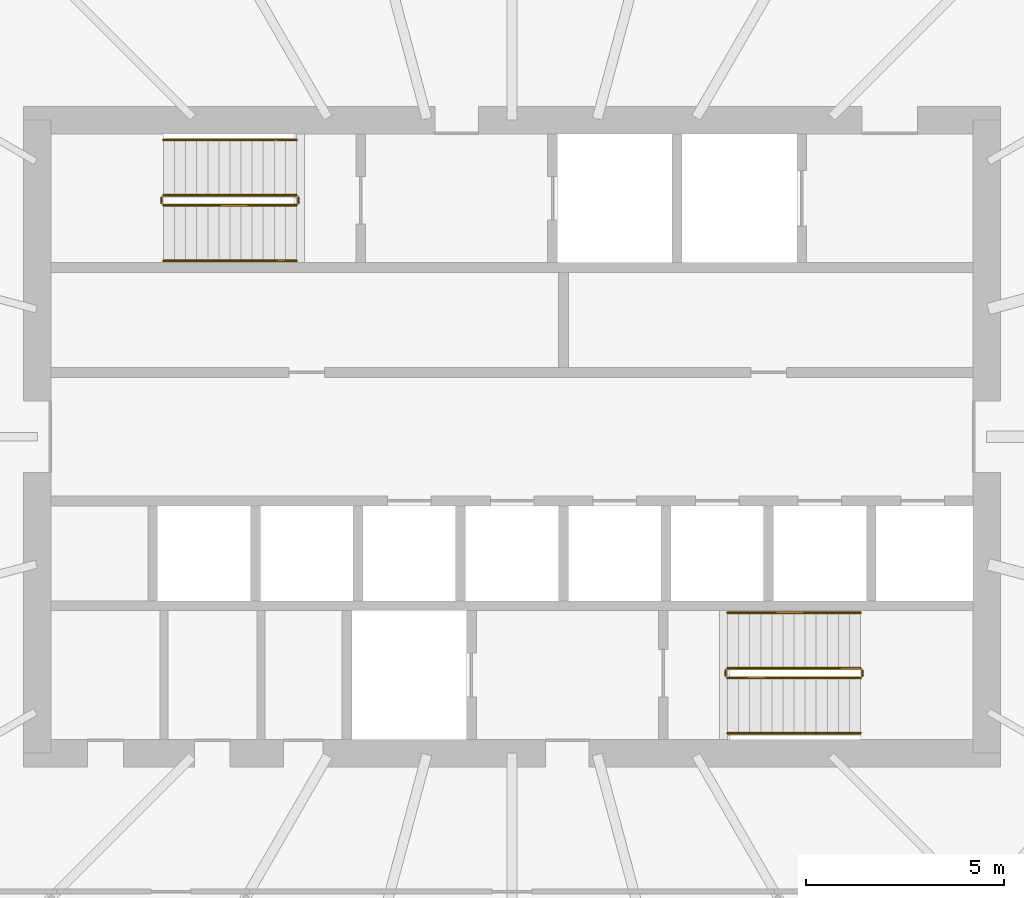
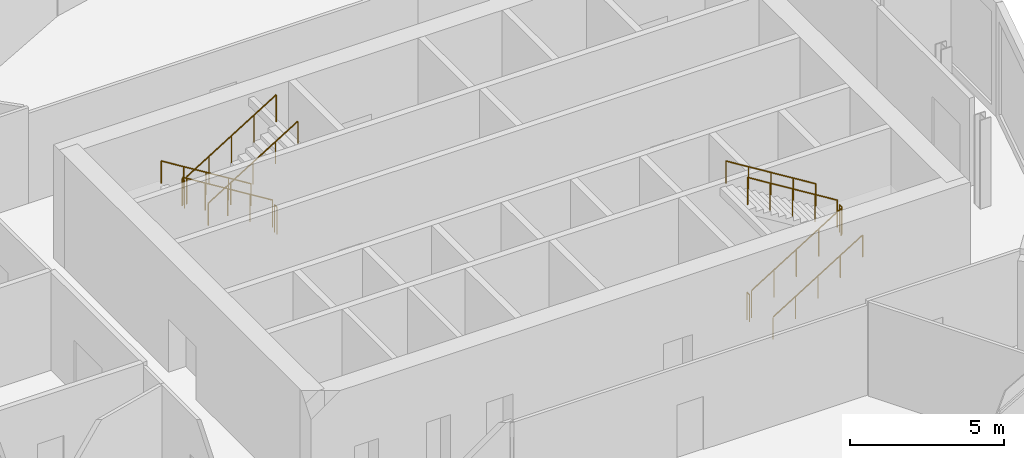
# One storey, part 36 of 36: 12 railings.
"""IFC4 building model written with IfcOpenShell, lengths in metres."""

from ifc_helpers import new_model, si_unit, direction, frame, origin, origin_2d, place, context, subcontext, project, spatial, circle, extrude, material, type_object, element, save


model = new_model("IFC4")

# Units and contexts
model_context = context("Model", 3, precision=1e-05, world=origin(), true_north=direction((0.0, 1.0)))
body_context = subcontext(model_context, "Body", "Model", "MODEL_VIEW")
ifc_project = project(units=[si_unit("LENGTHUNIT", "METRE"), si_unit("AREAUNIT", "SQUARE_METRE"), si_unit("VOLUMEUNIT", "CUBIC_METRE"), si_unit("PLANEANGLEUNIT", "RADIAN"), si_unit("MASSUNIT", "GRAM", prefix="KILO")], contexts=[model_context])

# Site, building, storey
site_placement = place(None, origin())
site = spatial("IfcSite", under=ifc_project, at=site_placement, CompositionType="ELEMENT")
building_placement = place(site_placement, origin())
building = spatial("IfcBuilding", under=site, at=building_placement, Name="Rimbun Link Towers", CompositionType="ELEMENT")
storey_placement = place(building_placement, frame((0.0, 0.0, 154.39990234375)))
storey = spatial("IfcBuildingStorey", under=building, at=storey_placement, Name="L37", CompositionType="ELEMENT", Elevation=154.39990234375)

# Railings
ifc_material_1 = material(Name="Stainless steel grade 316", Category="steel")
railing_type_1 = type_object("IfcRailingType", Name="Stair guard", PredefinedType="GUARDRAIL", material=ifc_material_1)
railing_1_placement = place(storey_placement, frame((26.300048828125, 6.10009765625, 0.173095703125)))
element("IfcRailing", 1, at=railing_1_placement, inside=storey, type_object=railing_type_1, Name="L37 ST3 stair guard 1", PredefinedType="GUARDRAIL", context=body_context, shape_type="SweptSolid", body=[
    extrude(circle(Radius=0.02392578125, at=origin_2d()), frame((0.0, 0.0, 1.076171875), z_axis=(-0.850623216509, 0.0, 0.525775754039), x_axis=(0.0, -1.0, 0.0)), (0.0, 0.0, 1.0), 3.9501953125),
    extrude(circle(Radius=0.02099609375, at=origin_2d()), origin(), (0.0, 0.0, 1.0), 1.052001953125),
    extrude(circle(Radius=0.02099609375, at=origin_2d()), frame((-0.840087890625, 0.0, 0.519287109375)), (0.0, 0.0, 1.0), 1.052001953125),
    extrude(circle(Radius=0.02099609375, at=origin_2d()), frame((-1.68017578125, 0.0, 1.03857421875)), (0.0, 0.0, 1.0), 1.052001953125),
    extrude(circle(Radius=0.02099609375, at=origin_2d()), frame((-2.52001953125, 0.0, 1.5576171875)), (0.0, 0.0, 1.0), 1.052001953125),
    extrude(circle(Radius=0.02099609375, at=origin_2d()), frame((-3.360107421875, 0.0, 2.076904296875)), (0.0, 0.0, 1.0), 1.052001953125),
])
railing_2_placement = place(storey_placement, frame((22.889892578125, 6.050048828125, 2.25)))
element("IfcRailing", 2, at=railing_2_placement, inside=storey, type_object=railing_type_1, Name="L37 ST3 stair guard 2", PredefinedType="GUARDRAIL", context=body_context, shape_type="SweptSolid", body=[
    extrude(circle(Radius=0.02392578125, at=origin_2d()), frame((0.0, 0.0, 1.076171875), z_axis=(0.0, -1.0, 0.0), x_axis=(1.0, 0.0, 0.0)), (0.0, 0.0, 1.0), 0.150146484375),
    extrude(circle(Radius=0.02099609375, at=origin_2d()), origin(), (0.0, 0.0, 1.0), 1.052001953125),
    extrude(circle(Radius=0.02099609375, at=origin_2d()), frame((0.0, -0.150146484375, 0.0)), (0.0, 0.0, 1.0), 1.052001953125),
])
railing_3_placement = place(storey_placement, frame((22.93994140625, 5.85009765625, 2.423095703125)))
element("IfcRailing", 3, at=railing_3_placement, inside=storey, type_object=railing_type_1, Name="L37 ST3 stair guard 3", PredefinedType="GUARDRAIL", context=body_context, shape_type="SweptSolid", body=[
    extrude(circle(Radius=0.02392578125, at=origin_2d()), frame((0.0, 0.0, 1.076171875), z_axis=(0.850623216509, 0.0, 0.525775754039), x_axis=(0.0, 1.0, 0.0)), (0.0, 0.0, 1.0), 3.9501953125),
    extrude(circle(Radius=0.02099609375, at=origin_2d()), origin(), (0.0, 0.0, 1.0), 1.052001953125),
    extrude(circle(Radius=0.02099609375, at=origin_2d()), frame((0.840087890625, 0.0, 0.519287109375)), (0.0, 0.0, 1.0), 1.052001953125),
    extrude(circle(Radius=0.02099609375, at=origin_2d()), frame((1.68017578125, 0.0, 1.03857421875)), (0.0, 0.0, 1.0), 1.052001953125),
    extrude(circle(Radius=0.02099609375, at=origin_2d()), frame((2.52001953125, 0.0, 1.5576171875)), (0.0, 0.0, 1.0), 1.052001953125),
    extrude(circle(Radius=0.02099609375, at=origin_2d()), frame((3.360107421875, 0.0, 2.076904296875)), (0.0, 0.0, 1.0), 1.052001953125),
])
railing_4_placement = place(storey_placement, frame((26.35009765625, 6.050048828125, 0.0)))
element("IfcRailing", 4, at=railing_4_placement, inside=storey, type_object=railing_type_1, Name="L37 ST3 stair guard 4", PredefinedType="GUARDRAIL", context=body_context, shape_type="SweptSolid", body=[
    extrude(circle(Radius=0.02392578125, at=origin_2d()), frame((0.0, 0.0, 1.076171875), z_axis=(0.0, -1.0, 0.0), x_axis=(1.0, 0.0, 0.0)), (0.0, 0.0, 1.0), 0.150146484375),
    extrude(circle(Radius=0.02099609375, at=origin_2d()), origin(), (0.0, 0.0, 1.0), 1.052001953125),
    extrude(circle(Radius=0.02099609375, at=origin_2d()), frame((0.0, -0.150146484375, 0.0)), (0.0, 0.0, 1.0), 1.052001953125),
])
railing_5_placement = place(storey_placement, frame((37.199951171875, -6.10009765625, 0.173095703125)))
element("IfcRailing", 5, at=railing_5_placement, inside=storey, type_object=railing_type_1, Name="L37 ST4 stair guard 1", PredefinedType="GUARDRAIL", context=body_context, shape_type="SweptSolid", body=[
    extrude(circle(Radius=0.02392578125, at=origin_2d()), frame((0.0, 0.0, 1.076171875), z_axis=(0.850623216509, 0.0, 0.525775754039), x_axis=(0.0, 1.0, 0.0)), (0.0, 0.0, 1.0), 3.9501953125),
    extrude(circle(Radius=0.02099609375, at=origin_2d()), origin(), (0.0, 0.0, 1.0), 1.052001953125),
    extrude(circle(Radius=0.02099609375, at=origin_2d()), frame((0.840087890625, 0.0, 0.519287109375)), (0.0, 0.0, 1.0), 1.052001953125),
    extrude(circle(Radius=0.02099609375, at=origin_2d()), frame((1.68017578125, 0.0, 1.03857421875)), (0.0, 0.0, 1.0), 1.052001953125),
    extrude(circle(Radius=0.02099609375, at=origin_2d()), frame((2.52001953125, 0.0, 1.5576171875)), (0.0, 0.0, 1.0), 1.052001953125),
    extrude(circle(Radius=0.02099609375, at=origin_2d()), frame((3.360107421875, 0.0, 2.076904296875)), (0.0, 0.0, 1.0), 1.052001953125),
])
railing_6_placement = place(storey_placement, frame((40.610107421875, -6.050048828125, 2.25)))
element("IfcRailing", 6, at=railing_6_placement, inside=storey, type_object=railing_type_1, Name="L37 ST4 stair guard 2", PredefinedType="GUARDRAIL", context=body_context, shape_type="SweptSolid", body=[
    extrude(circle(Radius=0.02392578125, at=origin_2d()), frame((0.0, 0.0, 1.076171875), z_axis=(0.0, 1.0, 0.0), x_axis=(-1.0, 0.0, 0.0)), (0.0, 0.0, 1.0), 0.150146484375),
    extrude(circle(Radius=0.02099609375, at=origin_2d()), origin(), (0.0, 0.0, 1.0), 1.052001953125),
    extrude(circle(Radius=0.02099609375, at=origin_2d()), frame((0.0, 0.150146484375, 0.0)), (0.0, 0.0, 1.0), 1.052001953125),
])
railing_7_placement = place(storey_placement, frame((40.56005859375, -5.85009765625, 2.423095703125)))
element("IfcRailing", 7, at=railing_7_placement, inside=storey, type_object=railing_type_1, Name="L37 ST4 stair guard 3", PredefinedType="GUARDRAIL", context=body_context, shape_type="SweptSolid", body=[
    extrude(circle(Radius=0.02392578125, at=origin_2d()), frame((0.0, 0.0, 1.076171875), z_axis=(-0.850623216509, 0.0, 0.525775754039), x_axis=(0.0, -1.0, 0.0)), (0.0, 0.0, 1.0), 3.9501953125),
    extrude(circle(Radius=0.02099609375, at=origin_2d()), origin(), (0.0, 0.0, 1.0), 1.052001953125),
    extrude(circle(Radius=0.02099609375, at=origin_2d()), frame((-0.840087890625, 0.0, 0.519287109375)), (0.0, 0.0, 1.0), 1.052001953125),
    extrude(circle(Radius=0.02099609375, at=origin_2d()), frame((-1.68017578125, 0.0, 1.03857421875)), (0.0, 0.0, 1.0), 1.052001953125),
    extrude(circle(Radius=0.02099609375, at=origin_2d()), frame((-2.52001953125, 0.0, 1.5576171875)), (0.0, 0.0, 1.0), 1.052001953125),
    extrude(circle(Radius=0.02099609375, at=origin_2d()), frame((-3.360107421875, 0.0, 2.076904296875)), (0.0, 0.0, 1.0), 1.052001953125),
])
railing_8_placement = place(storey_placement, frame((37.14990234375, -6.050048828125, 0.0)))
element("IfcRailing", 8, at=railing_8_placement, inside=storey, type_object=railing_type_1, Name="L37 ST4 stair guard 4", PredefinedType="GUARDRAIL", context=body_context, shape_type="SweptSolid", body=[
    extrude(circle(Radius=0.02392578125, at=origin_2d()), frame((0.0, 0.0, 1.076171875), z_axis=(0.0, 1.0, 0.0), x_axis=(-1.0, 0.0, 0.0)), (0.0, 0.0, 1.0), 0.150146484375),
    extrude(circle(Radius=0.02099609375, at=origin_2d()), origin(), (0.0, 0.0, 1.0), 1.052001953125),
    extrude(circle(Radius=0.02099609375, at=origin_2d()), frame((0.0, 0.150146484375, 0.0)), (0.0, 0.0, 1.0), 1.052001953125),
])
ifc_material_2 = material(Name="Stainless steel grade 316", Category="steel")
railing_type_2 = type_object("IfcRailingType", Name="Stair handrail", PredefinedType="HANDRAIL", material=ifc_material_2)
railing_9_placement = place(storey_placement, frame((26.300048828125, 7.5, 0.173095703125)))
element("IfcRailing", 9, at=railing_9_placement, inside=storey, type_object=railing_type_2, Name="L37 ST3 stair handrail 1", PredefinedType="HANDRAIL", context=body_context, shape_type="SweptSolid", body=[
    extrude(circle(Radius=0.02392578125, at=origin_2d()), frame((0.0, 0.0, 0.8759765625), z_axis=(-0.850623216509, 0.0, 0.525775754039), x_axis=(0.0, -1.0, 0.0)), (0.0, 0.0, 1.0), 3.9501953125),
    extrude(circle(Radius=0.02099609375, at=origin_2d()), origin(), (0.0, 0.0, 1.0), 0.851806640625),
    extrude(circle(Radius=0.02099609375, at=origin_2d()), frame((-0.840087890625, 0.0, 0.519287109375)), (0.0, 0.0, 1.0), 0.851806640625),
    extrude(circle(Radius=0.02099609375, at=origin_2d()), frame((-1.68017578125, 0.0, 1.03857421875)), (0.0, 0.0, 1.0), 0.851806640625),
    extrude(circle(Radius=0.02099609375, at=origin_2d()), frame((-2.52001953125, 0.0, 1.5576171875)), (0.0, 0.0, 1.0), 0.851806640625),
    extrude(circle(Radius=0.02099609375, at=origin_2d()), frame((-3.360107421875, 0.0, 2.076904296875)), (0.0, 0.0, 1.0), 0.851806640625),
])
for number, where, name in (
    (10, (22.93994140625, 4.449951171875, 2.423095703125), "L37 ST3 stair handrail 2"),
    (11, (37.199951171875, -7.5, 0.173095703125), "L37 ST4 stair handrail 1"),
):
    element("IfcRailing", number, at=place(storey_placement, frame(where)), inside=storey, type_object=railing_type_2, Name=name, PredefinedType="HANDRAIL", context=body_context, shape_type="SweptSolid", body=[
        extrude(circle(Radius=0.02392578125, at=origin_2d()), frame((0.0, 0.0, 0.8759765625), z_axis=(0.850623216509, 0.0, 0.525775754039), x_axis=(0.0, 1.0, 0.0)), (0.0, 0.0, 1.0), 3.9501953125),
        extrude(circle(Radius=0.02099609375, at=origin_2d()), origin(), (0.0, 0.0, 1.0), 0.851806640625),
        extrude(circle(Radius=0.02099609375, at=origin_2d()), frame((0.840087890625, 0.0, 0.519287109375)), (0.0, 0.0, 1.0), 0.851806640625),
        extrude(circle(Radius=0.02099609375, at=origin_2d()), frame((1.68017578125, 0.0, 1.03857421875)), (0.0, 0.0, 1.0), 0.851806640625),
        extrude(circle(Radius=0.02099609375, at=origin_2d()), frame((2.52001953125, 0.0, 1.5576171875)), (0.0, 0.0, 1.0), 0.851806640625),
        extrude(circle(Radius=0.02099609375, at=origin_2d()), frame((3.360107421875, 0.0, 2.076904296875)), (0.0, 0.0, 1.0), 0.851806640625),
    ])
railing_10_placement = place(storey_placement, frame((40.56005859375, -4.449951171875, 2.423095703125)))
element("IfcRailing", 12, at=railing_10_placement, inside=storey, type_object=railing_type_2, Name="L37 ST4 stair handrail 2", PredefinedType="HANDRAIL", context=body_context, shape_type="SweptSolid", body=[
    extrude(circle(Radius=0.02392578125, at=origin_2d()), frame((0.0, 0.0, 0.8759765625), z_axis=(-0.850623216509, 0.0, 0.525775754039), x_axis=(0.0, -1.0, 0.0)), (0.0, 0.0, 1.0), 3.9501953125),
    extrude(circle(Radius=0.02099609375, at=origin_2d()), origin(), (0.0, 0.0, 1.0), 0.851806640625),
    extrude(circle(Radius=0.02099609375, at=origin_2d()), frame((-0.840087890625, 0.0, 0.519287109375)), (0.0, 0.0, 1.0), 0.851806640625),
    extrude(circle(Radius=0.02099609375, at=origin_2d()), frame((-1.68017578125, 0.0, 1.03857421875)), (0.0, 0.0, 1.0), 0.851806640625),
    extrude(circle(Radius=0.02099609375, at=origin_2d()), frame((-2.52001953125, 0.0, 1.5576171875)), (0.0, 0.0, 1.0), 0.851806640625),
    extrude(circle(Radius=0.02099609375, at=origin_2d()), frame((-3.360107421875, 0.0, 2.076904296875)), (0.0, 0.0, 1.0), 0.851806640625),
])

save(model, "model.ifc")
